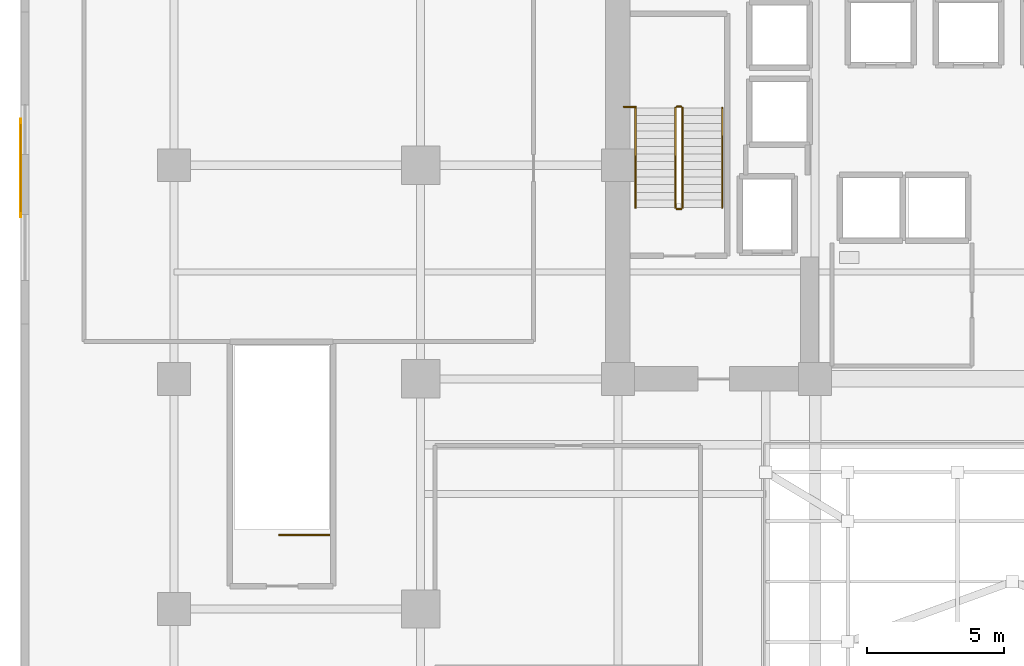
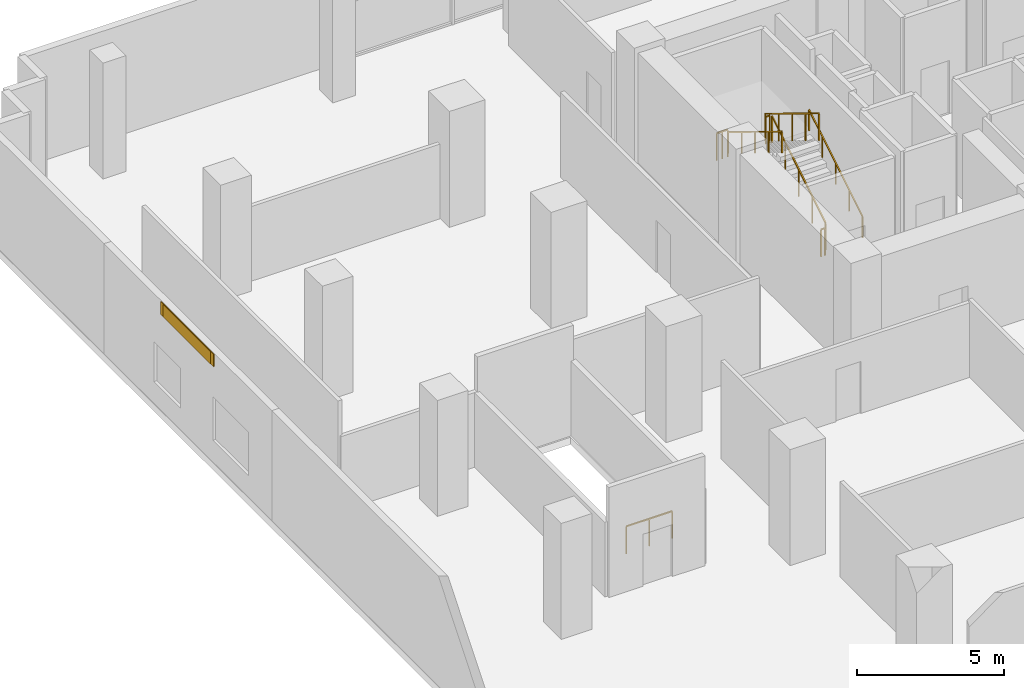
# One storey, part 19 of 22: 8 railings, 1 covering, 1 shading device.
"""IFC4 building model written with IfcOpenShell, lengths in metres."""

from ifc_helpers import new_model, si_unit, direction, frame, origin, origin_2d, place, context, subcontext, project, spatial, rectangle, extrude, source, transform, mapped, material, layer, layer_set, type_object, element, save


model = new_model("IFC4")

# Units and contexts
model_context = context("Model", 3, precision=1e-05, world=origin(), true_north=direction((0.0, 1.0)))
body_context = subcontext(model_context, "Body", "Model", "MODEL_VIEW")
ifc_project = project(units=[si_unit("LENGTHUNIT", "METRE"), si_unit("AREAUNIT", "SQUARE_METRE"), si_unit("VOLUMEUNIT", "CUBIC_METRE"), si_unit("PLANEANGLEUNIT", "RADIAN"), si_unit("MASSUNIT", "GRAM", prefix="KILO")], contexts=[model_context])

# Site, building, storey
site_placement = place(None, origin())
site = spatial("IfcSite", under=ifc_project, at=site_placement, CompositionType="ELEMENT")
building_placement = place(site_placement, origin())
building = spatial("IfcBuilding", under=site, at=building_placement, Name="Zarnakvel Exchange Tower", CompositionType="ELEMENT")
storey_placement = place(building_placement, frame((0.0, 0.0, 22.60009765625)))
storey = spatial("IfcBuildingStorey", under=building, at=storey_placement, Name="L05", CompositionType="ELEMENT", Elevation=22.60009765625)

# Railings
ifc_material_1 = material(Name="Brushed Stainless Steel", Category="steel")
railing_type_1 = type_object("IfcRailingType", Name="HR-01", PredefinedType="HANDRAIL", material=ifc_material_1)
railing_1_placement = place(storey_placement, frame((-10.590087890625, 5.050048828125, 0.17138671875)))
element("IfcRailing", 1, at=railing_1_placement, inside=storey, type_object=railing_type_1, Name="L05 ST-01 stair handrail 1", PredefinedType="HANDRAIL", context=body_context, shape_type="SweptSolid", body=[
    extrude(rectangle(XDim=0.048095703125, YDim=0.048095703125, at=origin_2d()), frame((0.0, 0.0, 0.8759765625), z_axis=(0.0, 0.852850264322, 0.5221555579), x_axis=(-1.0, 0.0, 0.0)), (0.0, 0.0, 1.0), 4.267822265625),
    extrude(rectangle(XDim=0.0419921875, YDim=0.0419921875, at=origin_2d()), origin(), (0.0, 0.0, 1.0), 0.851806640625),
    extrude(rectangle(XDim=0.0419921875, YDim=0.0419921875, at=origin_2d()), frame((0.0, 0.909912109375, 0.55712890625)), (0.0, 0.0, 1.0), 0.851806640625),
    extrude(rectangle(XDim=0.0419921875, YDim=0.0419921875, at=origin_2d()), frame((0.0, 1.81982421875, 1.1142578125)), (0.0, 0.0, 1.0), 0.851806640625),
    extrude(rectangle(XDim=0.0419921875, YDim=0.0419921875, at=origin_2d()), frame((0.0, 2.72998046875, 1.67138671875)), (0.0, 0.0, 1.0), 0.851806640625),
    extrude(rectangle(XDim=0.0419921875, YDim=0.0419921875, at=origin_2d()), frame((0.0, 3.639892578125, 2.228515625)), (0.0, 0.0, 1.0), 0.851806640625),
])
railing_2_placement = place(storey_placement, frame((-13.75, 8.68994140625, 2.5712890625)))
element("IfcRailing", 2, at=railing_2_placement, inside=storey, type_object=railing_type_1, Name="L05 ST-01 stair handrail 2", PredefinedType="HANDRAIL", context=body_context, shape_type="SweptSolid", body=[
    extrude(rectangle(XDim=0.048095703125, YDim=0.048095703125, at=origin_2d()), frame((0.0, 0.0, 0.8759765625), z_axis=(0.0, -0.852850264322, 0.5221555579), x_axis=(1.0, 0.0, 0.0)), (0.0, 0.0, 1.0), 4.267822265625),
    extrude(rectangle(XDim=0.0419921875, YDim=0.0419921875, at=origin_2d()), origin(), (0.0, 0.0, 1.0), 0.851806640625),
    extrude(rectangle(XDim=0.0419921875, YDim=0.0419921875, at=origin_2d()), frame((0.0, -0.909912109375, 0.55712890625)), (0.0, 0.0, 1.0), 0.851806640625),
    extrude(rectangle(XDim=0.0419921875, YDim=0.0419921875, at=origin_2d()), frame((0.0, -1.81982421875, 1.1142578125)), (0.0, 0.0, 1.0), 0.851806640625),
    extrude(rectangle(XDim=0.0419921875, YDim=0.0419921875, at=origin_2d()), frame((0.0, -2.72998046875, 1.67138671875)), (0.0, 0.0, 1.0), 0.851806640625),
    extrude(rectangle(XDim=0.0419921875, YDim=0.0419921875, at=origin_2d()), frame((0.0, -3.639892578125, 2.228515625)), (0.0, 0.0, 1.0), 0.851806640625),
])
ifc_material_2 = material(Name="Architectural Bronze Anodised Aluminium", Category="aluminium")
railing_type_2 = type_object("IfcRailingType", Name="SG-01", PredefinedType="GUARDRAIL", material=ifc_material_2)
railing_3_placement = place(storey_placement, frame((-12.0400390625, 5.050048828125, 0.17138671875)))
element("IfcRailing", 3, at=railing_3_placement, inside=storey, type_object=railing_type_2, Name="L05 ST-01 stair guard 1", PredefinedType="GUARDRAIL", context=body_context, shape_type="SweptSolid", body=[
    extrude(rectangle(XDim=0.048095703125, YDim=0.048095703125, at=origin_2d()), frame((0.0, 0.0, 1.1259765625), z_axis=(0.0, 0.852850264322, 0.5221555579), x_axis=(-1.0, 0.0, 0.0)), (0.0, 0.0, 1.0), 4.267822265625),
    extrude(rectangle(XDim=0.0419921875, YDim=0.0419921875, at=origin_2d()), origin(), (0.0, 0.0, 1.0), 1.101806640625),
    extrude(rectangle(XDim=0.0419921875, YDim=0.0419921875, at=origin_2d()), frame((0.0, 0.909912109375, 0.55712890625)), (0.0, 0.0, 1.0), 1.101806640625),
    extrude(rectangle(XDim=0.0419921875, YDim=0.0419921875, at=origin_2d()), frame((0.0, 1.81982421875, 1.1142578125)), (0.0, 0.0, 1.0), 1.101806640625),
    extrude(rectangle(XDim=0.0419921875, YDim=0.0419921875, at=origin_2d()), frame((0.0, 2.72998046875, 1.67138671875)), (0.0, 0.0, 1.0), 1.101806640625),
    extrude(rectangle(XDim=0.0419921875, YDim=0.0419921875, at=origin_2d()), frame((0.0, 3.639892578125, 2.228515625)), (0.0, 0.0, 1.0), 1.101806640625),
])
railing_4_placement = place(storey_placement, frame((-12.090087890625, 8.739990234375, 2.39990234375)))
element("IfcRailing", 4, at=railing_4_placement, inside=storey, type_object=railing_type_2, Name="L05 ST-01 stair guard 2", PredefinedType="GUARDRAIL", context=body_context, shape_type="SweptSolid", body=[
    extrude(rectangle(XDim=0.048095703125, YDim=0.048095703125, at=origin_2d()), frame((0.0, 0.0, 1.1259765625), z_axis=(-1.0, 0.0, 0.0), x_axis=(0.0, -1.0, 0.0)), (0.0, 0.0, 1.0), 0.159912109375),
    extrude(rectangle(XDim=0.0419921875, YDim=0.0419921875, at=origin_2d()), origin(), (0.0, 0.0, 1.0), 1.101806640625),
    extrude(rectangle(XDim=0.0419921875, YDim=0.0419921875, at=origin_2d()), frame((-0.159912109375, 0.0, 0.0)), (0.0, 0.0, 1.0), 1.101806640625),
])
railing_5_placement = place(storey_placement, frame((-12.300048828125, 8.68994140625, 2.5712890625)))
element("IfcRailing", 5, at=railing_5_placement, inside=storey, type_object=railing_type_2, Name="L05 ST-01 stair guard 3", PredefinedType="GUARDRAIL", context=body_context, shape_type="SweptSolid", body=[
    extrude(rectangle(XDim=0.048095703125, YDim=0.048095703125, at=origin_2d()), frame((0.0, 0.0, 1.1259765625), z_axis=(0.0, -0.852850264322, 0.5221555579), x_axis=(1.0, 0.0, 0.0)), (0.0, 0.0, 1.0), 4.267822265625),
    extrude(rectangle(XDim=0.0419921875, YDim=0.0419921875, at=origin_2d()), origin(), (0.0, 0.0, 1.0), 1.101806640625),
    extrude(rectangle(XDim=0.0419921875, YDim=0.0419921875, at=origin_2d()), frame((0.0, -0.909912109375, 0.55712890625)), (0.0, 0.0, 1.0), 1.101806640625),
    extrude(rectangle(XDim=0.0419921875, YDim=0.0419921875, at=origin_2d()), frame((0.0, -1.81982421875, 1.1142578125)), (0.0, 0.0, 1.0), 1.101806640625),
    extrude(rectangle(XDim=0.0419921875, YDim=0.0419921875, at=origin_2d()), frame((0.0, -2.72998046875, 1.67138671875)), (0.0, 0.0, 1.0), 1.101806640625),
    extrude(rectangle(XDim=0.0419921875, YDim=0.0419921875, at=origin_2d()), frame((0.0, -3.639892578125, 2.228515625)), (0.0, 0.0, 1.0), 1.101806640625),
])
railing_6_placement = place(storey_placement, frame((-12.090087890625, 5.0, 0.0)))
element("IfcRailing", 6, at=railing_6_placement, inside=storey, type_object=railing_type_2, Name="L05 ST-01 stair guard 4", PredefinedType="GUARDRAIL", context=body_context, shape_type="SweptSolid", body=[
    extrude(rectangle(XDim=0.048095703125, YDim=0.048095703125, at=origin_2d()), frame((0.0, 0.0, 1.1259765625), z_axis=(-1.0, 0.0, 0.0), x_axis=(0.0, -1.0, 0.0)), (0.0, 0.0, 1.0), 0.159912109375),
    extrude(rectangle(XDim=0.0419921875, YDim=0.0419921875, at=origin_2d()), origin(), (0.0, 0.0, 1.0), 1.101806640625),
    extrude(rectangle(XDim=0.0419921875, YDim=0.0419921875, at=origin_2d()), frame((-0.159912109375, 0.0, 0.0)), (0.0, 0.0, 1.0), 1.101806640625),
])
railing_7_placement = place(storey_placement, frame((-14.179931640625, 8.72998046875, 2.39990234375)))
element("IfcRailing", 7, at=railing_7_placement, inside=storey, type_object=railing_type_2, Name="L05 ST-01 Landing Slot Guardrail", PredefinedType="GUARDRAIL", context=body_context, shape_type="SweptSolid", body=[
    extrude(rectangle(XDim=0.048095703125, YDim=0.048095703125, at=origin_2d()), frame((0.0, 0.0, 1.1259765625), z_axis=(1.0, 0.0, 0.0), x_axis=(0.0, 1.0, 0.0)), (0.0, 0.0, 1.0), 0.429931640625),
    extrude(rectangle(XDim=0.0419921875, YDim=0.0419921875, at=origin_2d()), origin(), (0.0, 0.0, 1.0), 1.101806640625),
    extrude(rectangle(XDim=0.0419921875, YDim=0.0419921875, at=origin_2d()), frame((0.21484375, 0.0, 0.0)), (0.0, 0.0, 1.0), 1.101806640625),
    extrude(rectangle(XDim=0.0419921875, YDim=0.0419921875, at=origin_2d()), frame((0.429931640625, 0.0, 0.0)), (0.0, 0.0, 1.0), 1.101806640625),
])
railing_8_placement = place(storey_placement, frame((-24.93994140625, -6.89990234375, 0.0)))
element("IfcRailing", 8, at=railing_8_placement, inside=storey, type_object=railing_type_2, Name="L05 ST-03 top well guard 1", PredefinedType="GUARDRAIL", context=body_context, shape_type="SweptSolid", body=[
    extrude(rectangle(XDim=0.048095703125, YDim=0.048095703125, at=origin_2d()), frame((0.0, 0.0, 1.1259765625), z_axis=(-1.0, 0.0, 0.0), x_axis=(0.0, -1.0, 0.0)), (0.0, 0.0, 1.0), 1.81005859375),
    extrude(rectangle(XDim=0.0419921875, YDim=0.0419921875, at=origin_2d()), origin(), (0.0, 0.0, 1.0), 1.101806640625),
    extrude(rectangle(XDim=0.0419921875, YDim=0.0419921875, at=origin_2d()), frame((-0.905029296875, 0.0, 0.0)), (0.0, 0.0, 1.0), 1.101806640625),
    extrude(rectangle(XDim=0.0419921875, YDim=0.0419921875, at=origin_2d()), frame((-1.81005859375, 0.0, 0.0)), (0.0, 0.0, 1.0), 1.101806640625),
])

# Shading device
ifc_material_3 = material(Name="Perforated Architectural Bronze Screen", Category="aluminium")
ifc_layer_1 = layer(ifc_material_3, 0.044921875)
ifc_layer_set_1 = layer_set([ifc_layer_1], Name="Perforated Architectural Bronze Screen")
shading_device_type = type_object("IfcShadingDeviceType", Name="SS-01", PredefinedType="JALOUSIE", material=ifc_layer_set_1)
shared_shape_1 = source(origin(), body_context, "Body", "SweptSolid", [
    extrude(rectangle(XDim=3.199951171875, YDim=0.044921875, at=origin_2d()), origin(), (0.0, 0.0, 1.0), 0.52001953125),
])
shading_device_placement = place(storey_placement, frame((-36.200439453125, 6.5, 4.010009765625), z_axis=(0.0, 0.0, 1.0), x_axis=(0.0, 1.0, 0.0)))
element("IfcShadingDevice", 9, at=shading_device_placement, inside=storey, type_object=shading_device_type, Name="L05 Bronze Solar Shading Screen SS-01", PredefinedType="JALOUSIE", context=body_context, shape_type="MappedRepresentation", body=[
    mapped(shared_shape_1, transform((0.0, 0.0, 0.0), x_axis=(1.0, 0.0, 0.0), y_axis=(0.0, 1.0, 0.0), z_axis=(0.0, 0.0, 1.0), scale=1.0)),
])

# Covering
ifc_material_4 = material(Name="Warm Sandstone Terracotta Spandrel Tile", Category="masonry")
ifc_layer_2 = layer(ifc_material_4, 0.031982421875)
ifc_layer_set_2 = layer_set([ifc_layer_2], Name="Warm Sandstone Terracotta Spandrel Tile")
covering_type = type_object("IfcCoveringType", Name="CL-02", PredefinedType="CLADDING", material=ifc_layer_set_2)
shared_shape_2 = source(origin(), body_context, "Body", "SweptSolid", [
    extrude(rectangle(XDim=3.60009765625, YDim=0.031982421875, at=origin_2d()), origin(), (0.0, 0.0, 1.0), 0.52001953125),
])
covering_placement = place(storey_placement, frame((-36.194091796875, 6.5, 4.010009765625), z_axis=(0.0, 0.0, 1.0), x_axis=(0.0, 1.0, 0.0)))
element("IfcCovering", 10, at=covering_placement, inside=storey, type_object=covering_type, Name="L05 Ceramic Spandrel Tilework CL-02", PredefinedType="CLADDING", context=body_context, shape_type="MappedRepresentation", body=[
    mapped(shared_shape_2, transform((0.0, 0.0, 0.0), x_axis=(1.0, 0.0, 0.0), y_axis=(0.0, 1.0, 0.0), z_axis=(0.0, 0.0, 1.0), scale=1.0)),
])

save(model, "model.ifc")
